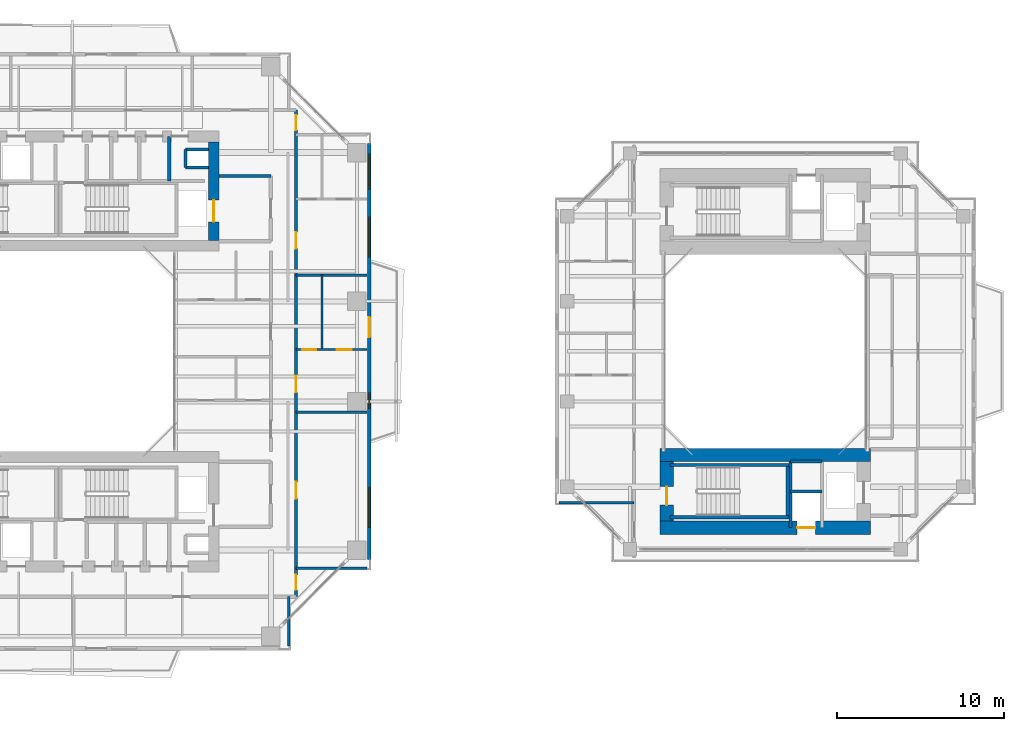
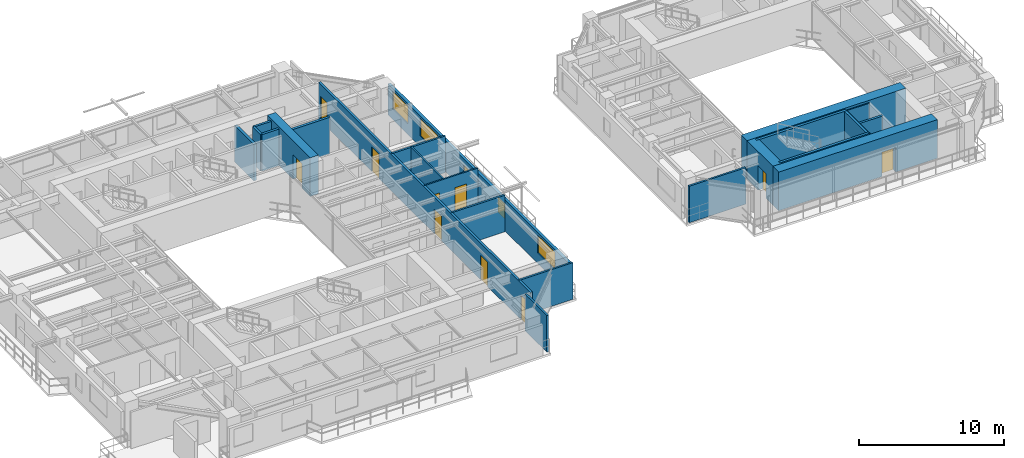
# One storey, part 15 of 23: 24 walls, 11 doors, 4 windows, 15 openings.
"""IFC4 building model written with IfcOpenShell, lengths in metres."""

from ifc_helpers import new_model, si_unit, direction, frame, frame_2d, origin, place, context, subcontext, project, spatial, rectangle, extrude, source, transform, mapped, material, layer, layer_set, type_object, element, fill, save


model = new_model("IFC4")

# Units and contexts
model_context = context("Model", 3, precision=1e-05, world=origin(), true_north=direction((0.0, 1.0)))
body_context = subcontext(model_context, "Body", "Model", "MODEL_VIEW")
ifc_project = project(units=[si_unit("LENGTHUNIT", "METRE"), si_unit("AREAUNIT", "SQUARE_METRE"), si_unit("VOLUMEUNIT", "CUBIC_METRE"), si_unit("PLANEANGLEUNIT", "RADIAN"), si_unit("MASSUNIT", "GRAM", prefix="KILO"), si_unit("THERMODYNAMICTEMPERATUREUNIT", "KELVIN"), si_unit("POWERUNIT", "WATT")], contexts=[model_context])

# Site, building, storey
site_placement = place(None, origin())
site = spatial("IfcSite", under=ifc_project, at=site_placement, CompositionType="ELEMENT")
building_placement = place(site_placement, origin())
building = spatial("IfcBuilding", under=site, at=building_placement, Name="Qiaomeng Ring Towers", CompositionType="ELEMENT")
storey_placement = place(building_placement, frame((0.0, 0.0, 103.5)))
storey = spatial("IfcBuildingStorey", under=building, at=storey_placement, Name="L29", CompositionType="ELEMENT", Elevation=103.5)

# Wall, openings, windows, door
ifc_material_1 = material(Name="Precast concrete C40", Category="concrete")
ifc_layer_1 = layer(ifc_material_1, 0.219970703125, Name="Precast concrete C40")
ifc_layer_set_1 = layer_set([ifc_layer_1], Name="Precast concrete C40")
wall_type_1 = type_object("IfcWallType", Name="ARC-WL-EW2", PredefinedType="STANDARD", material=ifc_layer_set_1)
wall_1_placement = place(storey_placement, frame((36.7900390625, 10.550048828125, 0.0), z_axis=(0.0, 0.0, 1.0), x_axis=(0.0, 1.0, 0.0)))
wall_1 = element("IfcWall", 1, at=wall_1_placement, inside=storey, type_object=wall_type_1, Name="L29 Tower 1 E Exterior Wall", PredefinedType="STANDARD", context=body_context, shape_type="SweptSolid", body=[
    extrude(rectangle(XDim=24.89990234375, YDim=0.219970703125, at=frame_2d((12.449951171875, 0.0))), origin(), (0.0, 0.0, 1.0), 2.610107421875),
])
opening_1_placement = place(wall_1_placement, frame((13.300048828125, 0.0, 0.0)))
opening_1 = element("IfcOpeningElement", 2, at=opening_1_placement, cuts=wall_1, Name="Opening BD1", PredefinedType="OPENING", context=body_context, shape_type="SweptSolid", body=[
    extrude(rectangle(XDim=1.199951171875, YDim=2.10009765625, at=frame_2d((0.60009765625, 1.050048828125))), frame((0.0, 0.119873046875, 0.0), z_axis=(0.0, -1.0, 0.0), x_axis=(1.0, 0.0, 0.0)), (0.0, 0.0, 1.0), 0.239990234375),
])
opening_2_placement = place(wall_1_placement, frame((1.912109375, 0.0, 0.89990234375)))
opening_2 = element("IfcOpeningElement", 3, at=opening_2_placement, cuts=wall_1, Name="Opening WN6", PredefinedType="OPENING", context=body_context, shape_type="SweptSolid", body=[
    extrude(rectangle(XDim=2.39990234375, YDim=1.47998046875, at=frame_2d((1.199951171875, 0.739990234375))), frame((0.0, 0.119873046875, 0.0), z_axis=(0.0, -1.0, 0.0), x_axis=(1.0, 0.0, 0.0)), (0.0, 0.0, 1.0), 0.239990234375),
])
opening_3_placement = place(wall_1_placement, frame((22.1650390625, 0.0, 0.89990234375)))
opening_3 = element("IfcOpeningElement", 4, at=opening_3_placement, cuts=wall_1, Name="Opening WN4", PredefinedType="OPENING", context=body_context, shape_type="SweptSolid", body=[
    extrude(rectangle(XDim=2.10009765625, YDim=1.5, at=frame_2d((1.050048828125, 0.75))), frame((0.0, 0.119873046875, 0.0), z_axis=(0.0, -1.0, 0.0), x_axis=(1.0, 0.0, 0.0)), (0.0, 0.0, 1.0), 0.239990234375),
])
opening_4_placement = place(wall_1_placement, frame((18.092529296875, 0.0, 0.89990234375)))
opening_4 = element("IfcOpeningElement", 5, at=opening_4_placement, cuts=wall_1, Name="Opening WN6", PredefinedType="OPENING", context=body_context, shape_type="SweptSolid", body=[
    extrude(rectangle(XDim=2.39990234375, YDim=1.5, at=frame_2d((1.199951171875, 0.75))), frame((0.0, 0.119873046875, 0.0), z_axis=(0.0, -1.0, 0.0), x_axis=(1.0, 0.0, 0.0)), (0.0, 0.0, 1.0), 0.239990234375),
])
opening_5_placement = place(wall_1_placement, frame((9.044921875, 0.0, 0.89990234375)))
opening_5 = element("IfcOpeningElement", 6, at=opening_5_placement, cuts=wall_1, Name="Opening WN5", PredefinedType="OPENING", context=body_context, shape_type="SweptSolid", body=[
    extrude(rectangle(XDim=0.89990234375, YDim=1.199951171875, at=frame_2d((0.449951171875, 0.60009765625))), frame((0.0, 0.119873046875, 0.0), z_axis=(0.0, -1.0, 0.0), x_axis=(1.0, 0.0, 0.0)), (0.0, 0.0, 1.0), 0.239990234375),
])
ifc_material_2 = material(Name="Low-E dark-grey laminated double glazing", Category="glass")
window_type_1 = type_object("IfcWindowType", Name="ARC-WN-4", PartitioningType="TRIPLE_PANEL_VERTICAL", PredefinedType="WINDOW", material=ifc_material_2)
shared_shape_1 = source(origin(), body_context, "Body", "SweptSolid", [
    extrude(rectangle(XDim=2.10009765625, YDim=1.5, at=frame_2d((1.050048828125, 0.75))), frame((0.0, 0.030029296875, 0.0), z_axis=(0.0, -1.0, 0.0), x_axis=(1.0, 0.0, 0.0)), (0.0, 0.0, 1.0), 0.06005859375),
])
window_1_placement = place(opening_3_placement, origin())
window_1 = element("IfcWindow", 7, at=window_1_placement, inside=storey, type_object=window_type_1, Name="L29 Exterior Window WN4", OverallHeight=1.5, OverallWidth=2.10009765625, PartitioningType="TRIPLE_PANEL_VERTICAL", PredefinedType="WINDOW", context=body_context, shape_type="MappedRepresentation", body=[
    mapped(shared_shape_1, transform((0.0, 0.0, 0.0), x_axis=(1.0, 0.0, 0.0), y_axis=(0.0, 1.0, 0.0), z_axis=(0.0, 0.0, 1.0), scale=1.0)),
])
fill(opening_3, window_1)
window_type_2 = type_object("IfcWindowType", Name="ARC-WN-6", PartitioningType="TRIPLE_PANEL_VERTICAL", PredefinedType="WINDOW", material=ifc_material_2)
shared_shape_2 = source(origin(), body_context, "Body", "SweptSolid", [
    extrude(rectangle(XDim=2.39990234375, YDim=1.47998046875, at=frame_2d((1.199951171875, 0.739990234375))), frame((0.0, 0.030029296875, 0.0), z_axis=(0.0, -1.0, 0.0), x_axis=(1.0, 0.0, 0.0)), (0.0, 0.0, 1.0), 0.06005859375),
])
window_2_placement = place(opening_2_placement, origin())
window_2 = element("IfcWindow", 8, at=window_2_placement, inside=storey, type_object=window_type_2, Name="L29 Exterior Window WN6", OverallHeight=1.47998046875, OverallWidth=2.39990234375, PartitioningType="TRIPLE_PANEL_VERTICAL", PredefinedType="WINDOW", context=body_context, shape_type="MappedRepresentation", body=[
    mapped(shared_shape_2, transform((0.0, 0.0, 0.0), x_axis=(1.0, 0.0, 0.0), y_axis=(0.0, 1.0, 0.0), z_axis=(0.0, 0.0, 1.0), scale=1.0)),
])
fill(opening_2, window_2)
door_type_1 = type_object("IfcDoorType", Name="ARC-DR-BD1", OperationType="NOTDEFINED", PredefinedType="DOOR", material=ifc_material_2)
shared_shape_3 = source(origin(), body_context, "Body", "SweptSolid", [
    extrude(rectangle(XDim=1.199951171875, YDim=2.10009765625, at=frame_2d((0.60009765625, 1.050048828125))), frame((0.0, 0.02490234375, 0.0), z_axis=(0.0, -1.0, 0.0), x_axis=(1.0, 0.0, 0.0)), (0.0, 0.0, 1.0), 0.050048828125),
])
door_1_placement = place(opening_1_placement, origin())
door_1 = element("IfcDoor", 9, at=door_1_placement, inside=storey, type_object=door_type_1, Name="L29 E Balcony Glazed Door", OperationType="SINGLE_SWING_LEFT", OverallHeight=2.10009765625, OverallWidth=1.199951171875, PredefinedType="DOOR", context=body_context, shape_type="MappedRepresentation", body=[
    mapped(shared_shape_3, transform((0.0, 0.0, 0.0), x_axis=(1.0, 0.0, 0.0), y_axis=(0.0, 1.0, 0.0), z_axis=(0.0, 0.0, 1.0), scale=1.0)),
])
fill(opening_1, door_1)
shared_shape_4 = source(origin(), body_context, "Body", "SweptSolid", [
    extrude(rectangle(XDim=2.39990234375, YDim=1.5, at=frame_2d((1.199951171875, 0.75))), frame((0.0, 0.030029296875, 0.0), z_axis=(0.0, -1.0, 0.0), x_axis=(1.0, 0.0, 0.0)), (0.0, 0.0, 1.0), 0.06005859375),
])
window_3_placement = place(opening_4_placement, origin())
window_3 = element("IfcWindow", 10, at=window_3_placement, inside=storey, type_object=window_type_2, Name="L29 Exterior Window WN6", OverallHeight=1.5, OverallWidth=2.39990234375, PartitioningType="TRIPLE_PANEL_VERTICAL", PredefinedType="WINDOW", context=body_context, shape_type="MappedRepresentation", body=[
    mapped(shared_shape_4, transform((0.0, 0.0, 0.0), x_axis=(1.0, 0.0, 0.0), y_axis=(0.0, 1.0, 0.0), z_axis=(0.0, 0.0, 1.0), scale=1.0)),
])
fill(opening_4, window_3)
window_type_3 = type_object("IfcWindowType", Name="ARC-WN-5", PartitioningType="SINGLE_PANEL", PredefinedType="WINDOW", material=ifc_material_2)
shared_shape_5 = source(origin(), body_context, "Body", "SweptSolid", [
    extrude(rectangle(XDim=0.89990234375, YDim=1.199951171875, at=frame_2d((0.449951171875, 0.60009765625))), frame((0.0, 0.030029296875, 0.0), z_axis=(0.0, -1.0, 0.0), x_axis=(1.0, 0.0, 0.0)), (0.0, 0.0, 1.0), 0.06005859375),
])
window_4_placement = place(opening_5_placement, origin())
window_4 = element("IfcWindow", 11, at=window_4_placement, inside=storey, type_object=window_type_3, Name="L29 Exterior Window WN5", OverallHeight=1.199951171875, OverallWidth=0.89990234375, PartitioningType="SINGLE_PANEL", PredefinedType="WINDOW", context=body_context, shape_type="MappedRepresentation", body=[
    mapped(shared_shape_5, transform((0.0, 0.0, 0.0), x_axis=(1.0, 0.0, 0.0), y_axis=(0.0, 1.0, 0.0), z_axis=(0.0, 0.0, 1.0), scale=1.0)),
])
fill(opening_5, window_4)

# Walls
ifc_material_3 = material(Name="Autoclaved aerated concrete block", Category="concrete")
ifc_layer_2 = layer(ifc_material_3, 0.199951171875, Name="Autoclaved aerated concrete block")
ifc_layer_set_2 = layer_set([ifc_layer_2], Name="Autoclaved aerated concrete block")
wall_type_2 = type_object("IfcWallType", Name="ARC-WL-PW1", PredefinedType="PARTITIONING", material=ifc_layer_set_2)
wall_2_placement = place(storey_placement, frame((27.800048828125, 33.5, 0.0), z_axis=(0.0, 0.0, 1.0), x_axis=(1.0, 0.0, 0.0)))
element("IfcWall", 12, at=wall_2_placement, inside=storey, type_object=wall_type_2, Name="L29 Interior Wall PW1", PredefinedType="PARTITIONING", context=body_context, shape_type="SweptSolid", body=[
    extrude(rectangle(XDim=3.099853515625, YDim=0.199951171875, at=frame_2d((1.5498046875, 0.0))), origin(), (0.0, 0.0, 1.0), 3.070068359375),
])
wall_3_placement = place(storey_placement, frame((24.820068359375, 33.199951171875, 0.0), z_axis=(0.0, 0.0, 1.0), x_axis=(0.0, 1.0, 0.0)))
element("IfcWall", 13, at=wall_3_placement, inside=storey, type_object=wall_type_2, Name="L29 Interior Wall PW1", PredefinedType="PARTITIONING", context=body_context, shape_type="SweptSolid", body=[
    extrude(rectangle(XDim=2.650146484375, YDim=0.199951171875, at=frame_2d((1.3251953125, 0.0))), origin(), (0.0, 0.0, 1.0), 3.070068359375),
])

# Wall, openings, doors
ifc_layer_3 = layer(ifc_material_3, 0.179931640625, Name="Autoclaved aerated concrete block")
ifc_layer_set_3 = layer_set([ifc_layer_3], Name="Autoclaved aerated concrete block")
wall_type_3 = type_object("IfcWallType", Name="ARC-WL-PW2", PredefinedType="PARTITIONING", material=ifc_layer_set_3)
wall_4_placement = place(storey_placement, frame((32.39990234375, 8.31005859375, 0.0), z_axis=(0.0, 0.0, 1.0), x_axis=(0.0, 1.0, 0.0)))
wall_4 = element("IfcWall", 14, at=wall_4_placement, inside=storey, type_object=wall_type_3, Name="L29 Interior Wall PW2", PredefinedType="PARTITIONING", context=body_context, shape_type="SweptSolid", body=[
    extrude(rectangle(XDim=29.1298828125, YDim=0.179931640625, at=frame_2d((14.56494140625, 0.0))), origin(), (0.0, 0.0, 1.0), 3.070068359375),
])
opening_6_placement = place(wall_4_placement, frame((27.93994140625, 0.0, 0.0)))
opening_6 = element("IfcOpeningElement", 15, at=opening_6_placement, cuts=wall_4, Name="Opening ID1", PredefinedType="OPENING", context=body_context, shape_type="SweptSolid", body=[
    extrude(rectangle(XDim=0.89990234375, YDim=2.050048828125, at=frame_2d((0.449951171875, 1.02490234375))), frame((0.0, 0.099853515625, 0.0), z_axis=(0.0, -1.0, 0.0), x_axis=(1.0, 0.0, 0.0)), (0.0, 0.0, 1.0), 0.199951171875),
])
opening_7_placement = place(wall_4_placement, frame((0.4150390625, 0.0, 0.0)))
opening_7 = element("IfcOpeningElement", 16, at=opening_7_placement, cuts=wall_4, Name="Opening ID1", PredefinedType="OPENING", context=body_context, shape_type="SweptSolid", body=[
    extrude(rectangle(XDim=0.89990234375, YDim=2.050048828125, at=frame_2d((0.449951171875, 1.02490234375))), frame((0.0, 0.099853515625, 0.0), z_axis=(0.0, -1.0, 0.0), x_axis=(1.0, 0.0, 0.0)), (0.0, 0.0, 1.0), 0.199951171875),
])
opening_8_placement = place(wall_4_placement, frame((5.8798828125, 0.0, 0.0)))
opening_8 = element("IfcOpeningElement", 17, at=opening_8_placement, cuts=wall_4, Name="Opening FD4", PredefinedType="OPENING", context=body_context, shape_type="SweptSolid", body=[
    extrude(rectangle(XDim=1.0, YDim=2.050048828125, at=frame_2d((0.5, 1.02490234375))), frame((0.0, 0.099853515625, 0.0), z_axis=(0.0, -1.0, 0.0), x_axis=(1.0, 0.0, 0.0)), (0.0, 0.0, 1.0), 0.199951171875),
])
opening_9_placement = place(wall_4_placement, frame((12.22998046875, 0.0, 0.0)))
opening_9 = element("IfcOpeningElement", 18, at=opening_9_placement, cuts=wall_4, Name="Opening FD4", PredefinedType="OPENING", context=body_context, shape_type="SweptSolid", body=[
    extrude(rectangle(XDim=1.0, YDim=2.050048828125, at=frame_2d((0.5, 1.02490234375))), frame((0.0, 0.099853515625, 0.0), z_axis=(0.0, -1.0, 0.0), x_axis=(1.0, 0.0, 0.0)), (0.0, 0.0, 1.0), 0.199951171875),
])
opening_10_placement = place(wall_4_placement, frame((20.8349609375, 0.0, 0.0)))
opening_10 = element("IfcOpeningElement", 19, at=opening_10_placement, cuts=wall_4, Name="Opening FD4", PredefinedType="OPENING", context=body_context, shape_type="SweptSolid", body=[
    extrude(rectangle(XDim=1.0, YDim=2.050048828125, at=frame_2d((0.5, 1.02490234375))), frame((0.0, 0.099853515625, 0.0), z_axis=(0.0, -1.0, 0.0), x_axis=(1.0, 0.0, 0.0)), (0.0, 0.0, 1.0), 0.199951171875),
])
ifc_material_4 = material(Name="Engineered fire-rated oak timber", Category="wood")
door_type_2 = type_object("IfcDoorType", Name="ARC-DR-FD4", OperationType="NOTDEFINED", PredefinedType="DOOR", material=ifc_material_4)
shared_shape_6 = source(origin(), body_context, "Body", "SweptSolid", [
    extrude(rectangle(XDim=1.0, YDim=2.050048828125, at=frame_2d((0.5, 1.02490234375))), frame((0.0, 0.02490234375, 0.0), z_axis=(0.0, -1.0, 0.0), x_axis=(1.0, 0.0, 0.0)), (0.0, 0.0, 1.0), 0.050048828125),
])
door_2_placement = place(opening_8_placement, origin())
door_2 = element("IfcDoor", 20, at=door_2_placement, inside=storey, type_object=door_type_2, Name="L29 Door FD4", OperationType="SINGLE_SWING_RIGHT", OverallHeight=2.050048828125, OverallWidth=1.0, PredefinedType="DOOR", context=body_context, shape_type="MappedRepresentation", body=[
    mapped(shared_shape_6, transform((0.0, 0.0, 0.0), x_axis=(1.0, 0.0, 0.0), y_axis=(0.0, 1.0, 0.0), z_axis=(0.0, 0.0, 1.0), scale=1.0)),
])
fill(opening_8, door_2)
door_3_placement = place(opening_9_placement, origin())
door_3 = element("IfcDoor", 21, at=door_3_placement, inside=storey, type_object=door_type_2, Name="L29 Door FD4", OperationType="SINGLE_SWING_LEFT", OverallHeight=2.050048828125, OverallWidth=1.0, PredefinedType="DOOR", context=body_context, shape_type="MappedRepresentation", body=[
    mapped(shared_shape_6, transform((0.0, 0.0, 0.0), x_axis=(1.0, 0.0, 0.0), y_axis=(0.0, 1.0, 0.0), z_axis=(0.0, 0.0, 1.0), scale=1.0)),
])
fill(opening_9, door_3)
door_4_placement = place(opening_10_placement, origin())
door_4 = element("IfcDoor", 22, at=door_4_placement, inside=storey, type_object=door_type_2, Name="L29 Door FD4", OperationType="SINGLE_SWING_RIGHT", OverallHeight=2.050048828125, OverallWidth=1.0, PredefinedType="DOOR", context=body_context, shape_type="MappedRepresentation", body=[
    mapped(shared_shape_6, transform((0.0, 0.0, 0.0), x_axis=(1.0, 0.0, 0.0), y_axis=(0.0, 1.0, 0.0), z_axis=(0.0, 0.0, 1.0), scale=1.0)),
])
fill(opening_10, door_4)
ifc_material_5 = material(Name="Engineered oak timber", Category="wood")
door_type_3 = type_object("IfcDoorType", Name="ARC-DR-ID1", OperationType="NOTDEFINED", PredefinedType="DOOR", material=ifc_material_5)
shared_shape_7 = source(origin(), body_context, "Body", "SweptSolid", [
    extrude(rectangle(XDim=0.89990234375, YDim=2.050048828125, at=frame_2d((0.449951171875, 1.02490234375))), frame((0.0, 0.02490234375, 0.0), z_axis=(0.0, -1.0, 0.0), x_axis=(1.0, 0.0, 0.0)), (0.0, 0.0, 1.0), 0.050048828125),
])
door_5_placement = place(opening_6_placement, origin())
door_5 = element("IfcDoor", 23, at=door_5_placement, inside=storey, type_object=door_type_3, Name="L29 Door ID1", OperationType="SINGLE_SWING_RIGHT", OverallHeight=2.050048828125, OverallWidth=0.89990234375, PredefinedType="DOOR", context=body_context, shape_type="MappedRepresentation", body=[
    mapped(shared_shape_7, transform((0.0, 0.0, 0.0), x_axis=(1.0, 0.0, 0.0), y_axis=(0.0, 1.0, 0.0), z_axis=(0.0, 0.0, 1.0), scale=1.0)),
])
fill(opening_6, door_5)
door_6_placement = place(opening_7_placement, origin())
door_6 = element("IfcDoor", 24, at=door_6_placement, inside=storey, type_object=door_type_3, Name="L29 Door ID1", OperationType="SINGLE_SWING_LEFT", OverallHeight=2.050048828125, OverallWidth=0.89990234375, PredefinedType="DOOR", context=body_context, shape_type="MappedRepresentation", body=[
    mapped(shared_shape_7, transform((0.0, 0.0, 0.0), x_axis=(1.0, 0.0, 0.0), y_axis=(0.0, 1.0, 0.0), z_axis=(0.0, 0.0, 1.0), scale=1.0)),
])
fill(opening_7, door_6)

# Walls
ifc_material_6 = material(Name="Gypsum fireboard steel-stud partition", Category="steel")
ifc_layer_4 = layer(ifc_material_6, 0.14990234375, Name="Gypsum fireboard steel-stud partition")
ifc_layer_set_4 = layer_set([ifc_layer_4], Name="Gypsum fireboard steel-stud partition")
wall_type_4 = type_object("IfcWallType", Name="ARC-WL-PW3", PredefinedType="PARTITIONING", material=ifc_layer_set_4)
wall_5_placement = place(storey_placement, frame((31.97998046875, 5.35009765625, 0.0), z_axis=(0.0, 0.0, 1.0), x_axis=(0.0, 1.0, 0.0)))
element("IfcWall", 25, at=wall_5_placement, inside=storey, type_object=wall_type_4, Name="L29 Interior Wall PW3", PredefinedType="PARTITIONING", context=body_context, shape_type="SweptSolid", body=[
    extrude(rectangle(XDim=2.9599609375, YDim=0.14990234375, at=frame_2d((1.47998046875, 0.0))), origin(), (0.0, 0.0, 1.0), 3.070068359375),
])
for number, where, z_axis, x_axis, name in (
    (26, (32.39990234375, 10.02001953125, 0.0), (0.0, 0.0, 1.0), (1.0, 0.0, 0.0), "L29 Interior Wall PW3"),
    (27, (32.39990234375, 19.360107421875, 0.0), (0.0, 0.0, 1.0), (1.0, 0.0, 0.0), "L29 Interior Wall PW3"),
    (28, (32.39990234375, 27.56005859375, 0.0), (0.0, 0.0, 1.0), (1.0, 0.0, 0.0), "L29 Interior Wall PW3"),
):
    element("IfcWall", number, at=place(storey_placement, frame(where, z_axis=z_axis, x_axis=x_axis)), inside=storey, type_object=wall_type_4, Name=name, PredefinedType="PARTITIONING", context=body_context, shape_type="SweptSolid", body=[
        extrude(rectangle(XDim=4.25, YDim=0.14990234375, at=frame_2d((2.125, 0.0))), origin(), (0.0, 0.0, 1.0), 3.070068359375),
    ])
wall_6_placement = place(storey_placement, frame((48.14990234375, 13.949951171875, 0.0), z_axis=(0.0, 0.0, 1.0), x_axis=(1.0, 0.0, 0.0)))
element("IfcWall", 29, at=wall_6_placement, inside=storey, type_object=wall_type_4, Name="L29 Interior Wall PW3", PredefinedType="PARTITIONING", context=body_context, shape_type="SweptSolid", body=[
    extrude(rectangle(XDim=4.5, YDim=0.14990234375, at=frame_2d((2.25, 0.0))), origin(), (0.0, 0.0, 1.0), 3.070068359375),
])

# Wall, openings, doors
ifc_material_7 = material(Name="Moisture-resistant gypsum steel-stud partition", Category="steel")
ifc_layer_5 = layer(ifc_material_7, 0.1201171875, Name="Moisture-resistant gypsum steel-stud partition")
ifc_layer_set_5 = layer_set([ifc_layer_5], Name="Moisture-resistant gypsum steel-stud partition")
wall_type_5 = type_object("IfcWallType", Name="ARC-WL-PW4", PredefinedType="PLUMBINGWALL", material=ifc_layer_set_5)
wall_7_placement = place(storey_placement, frame((32.39990234375, 23.10009765625, 0.0), z_axis=(0.0, 0.0, 1.0), x_axis=(1.0, 0.0, 0.0)))
wall_7 = element("IfcWall", 30, at=wall_7_placement, inside=storey, type_object=wall_type_5, Name="L29 Interior Wall PW4", PredefinedType="PLUMBINGWALL", context=body_context, shape_type="SweptSolid", body=[
    extrude(rectangle(XDim=4.25, YDim=0.1201171875, at=frame_2d((2.125, 0.0))), origin(), (0.0, 0.0, 1.0), 3.070068359375),
])
opening_11_placement = place(wall_7_placement, frame((0.3701171875, 0.0, 0.0)))
opening_11 = element("IfcOpeningElement", 31, at=opening_11_placement, cuts=wall_7, Name="Opening ID2", PredefinedType="OPENING", context=body_context, shape_type="SweptSolid", body=[
    extrude(rectangle(XDim=0.85009765625, YDim=2.050048828125, at=frame_2d((0.425048828125, 1.02490234375))), frame((0.0, 0.070068359375, 0.0), z_axis=(0.0, -1.0, 0.0), x_axis=(1.0, 0.0, 0.0)), (0.0, 0.0, 1.0), 0.14013671875),
])
opening_12_placement = place(wall_7_placement, frame((2.449951171875, 0.0, 0.0)))
opening_12 = element("IfcOpeningElement", 32, at=opening_12_placement, cuts=wall_7, Name="Opening ID1", PredefinedType="OPENING", context=body_context, shape_type="SweptSolid", body=[
    extrude(rectangle(XDim=0.89990234375, YDim=2.050048828125, at=frame_2d((0.449951171875, 1.02490234375))), frame((0.0, 0.070068359375, 0.0), z_axis=(0.0, -1.0, 0.0), x_axis=(1.0, 0.0, 0.0)), (0.0, 0.0, 1.0), 0.14013671875),
])
ifc_material_8 = material(Name="Moisture-resistant engineered timber", Category="wood")
door_type_4 = type_object("IfcDoorType", Name="ARC-DR-ID2", OperationType="NOTDEFINED", PredefinedType="DOOR", material=ifc_material_8)
shared_shape_8 = source(origin(), body_context, "Body", "SweptSolid", [
    extrude(rectangle(XDim=0.85009765625, YDim=2.050048828125, at=frame_2d((0.425048828125, 1.02490234375))), frame((0.0, 0.02490234375, 0.0), z_axis=(0.0, -1.0, 0.0), x_axis=(1.0, 0.0, 0.0)), (0.0, 0.0, 1.0), 0.050048828125),
])
door_7_placement = place(opening_11_placement, origin())
door_7 = element("IfcDoor", 33, at=door_7_placement, inside=storey, type_object=door_type_4, Name="L29 Door ID2", OperationType="SINGLE_SWING_LEFT", OverallHeight=2.050048828125, OverallWidth=0.85009765625, PredefinedType="DOOR", context=body_context, shape_type="MappedRepresentation", body=[
    mapped(shared_shape_8, transform((0.0, 0.0, 0.0), x_axis=(1.0, 0.0, 0.0), y_axis=(0.0, 1.0, 0.0), z_axis=(0.0, 0.0, 1.0), scale=1.0)),
])
fill(opening_11, door_7)
door_8_placement = place(opening_12_placement, origin())
door_8 = element("IfcDoor", 34, at=door_8_placement, inside=storey, type_object=door_type_3, Name="L29 Door ID1", OperationType="SINGLE_SWING_RIGHT", OverallHeight=2.050048828125, OverallWidth=0.89990234375, PredefinedType="DOOR", context=body_context, shape_type="MappedRepresentation", body=[
    mapped(shared_shape_7, transform((0.0, 0.0, 0.0), x_axis=(1.0, 0.0, 0.0), y_axis=(0.0, 1.0, 0.0), z_axis=(0.0, 0.0, 1.0), scale=1.0)),
])
fill(opening_12, door_8)

# Walls
wall_8_placement = place(storey_placement, frame((33.969970703125, 23.10009765625, 0.0), z_axis=(0.0, 0.0, 1.0), x_axis=(0.0, 1.0, 0.0)))
element("IfcWall", 35, at=wall_8_placement, inside=storey, type_object=wall_type_5, Name="L29 Interior Wall PW4", PredefinedType="PLUMBINGWALL", context=body_context, shape_type="SweptSolid", body=[
    extrude(rectangle(XDim=4.4599609375, YDim=0.1201171875, at=frame_2d((2.22998046875, 0.0))), origin(), (0.0, 0.0, 1.0), 3.070068359375),
])
ifc_material_9 = material(Name="Concrete C40", Category="concrete")
ifc_layer_6 = layer(ifc_material_9, 0.199951171875, Name="Concrete C40")
ifc_layer_set_6 = layer_set([ifc_layer_6], Name="Concrete C40")
wall_type_6 = type_object("IfcWallType", Name="STR-WL-STSHAFT", PredefinedType="SHEAR", material=ifc_layer_set_6)
wall_9_placement = place(storey_placement, frame((25.800048828125, 34.02001953125, 0.0), z_axis=(0.0, 0.0, 1.0), x_axis=(0.0, 1.0, 0.0)))
element("IfcWall", 36, at=wall_9_placement, inside=storey, type_object=wall_type_6, Name="L29 Riser RSR1 West Shaft Wall N", PredefinedType="SHEAR", context=body_context, shape_type="SweptSolid", body=[
    extrude(rectangle(XDim=1.06005859375, YDim=0.179931640625, at=frame_2d((0.530029296875, 0.0))), origin(), (0.0, 0.0, 1.0), 3.070068359375),
])
for number, where, z_axis, x_axis, name in (
    (37, (25.800048828125, 35.080078125, 0.0), (0.0, 0.0, 1.0), (1.0, 0.0, 0.0), "L29 Riser RSR1 North Shaft Wall N"),
    (38, (25.800048828125, 34.02001953125, 0.0), (0.0, 0.0, 1.0), (1.0, 0.0, 0.0), "L29 Riser RSR1 South Shaft Wall N"),
):
    element("IfcWall", number, at=place(storey_placement, frame(where, z_axis=z_axis, x_axis=x_axis)), inside=storey, type_object=wall_type_6, Name=name, PredefinedType="SHEAR", context=body_context, shape_type="SweptSolid", body=[
        extrude(rectangle(XDim=1.349853515625, YDim=0.179931640625, at=frame_2d((0.6748046875, 0.0))), origin(), (0.0, 0.0, 1.0), 3.070068359375),
    ])
wall_10_placement = place(storey_placement, frame((62.02001953125, 12.449951171875, 0.0), z_axis=(0.0, 0.0, 1.0), x_axis=(0.0, 1.0, 0.0)))
element("IfcWall", 39, at=wall_10_placement, inside=storey, type_object=wall_type_6, Name="L29 Companion Lift Shaft West Wall S", PredefinedType="SHEAR", context=body_context, shape_type="SweptSolid", body=[
    extrude(rectangle(XDim=3.949951171875, YDim=0.179931640625, at=frame_2d((1.97509765625, 0.0))), origin(), (0.0, 0.0, 1.0), 3.070068359375),
])
for number, where, z_axis, x_axis, name in (
    (40, (62.02001953125, 14.6201171875, 0.0), (0.0, 0.0, 1.0), (1.0, 0.0, 0.0), "L29 Companion Lift Shaft Divider Wall S"),
    (41, (62.02001953125, 16.39990234375, 0.0), (0.0, 0.0, 1.0), (1.0, 0.0, 0.0), "L29 Companion Riser Shaft Back Wall S"),
):
    element("IfcWall", number, at=place(storey_placement, frame(where, z_axis=z_axis, x_axis=x_axis)), inside=storey, type_object=wall_type_6, Name=name, PredefinedType="SHEAR", context=body_context, shape_type="SweptSolid", body=[
        extrude(rectangle(XDim=1.85986328125, YDim=0.179931640625, at=frame_2d((0.929931640625, 0.0))), origin(), (0.0, 0.0, 1.0), 3.070068359375),
    ])
for number, where, z_axis, x_axis, name in (
    (42, (54.800048828125, 13.06005859375, 0.0), (0.0, 0.0, 1.0), (1.0, 0.0, 0.0), "L29 Stair ST6 South Shaft Shear Wall"),
    (43, (54.800048828125, 16.199951171875, 0.0), (0.0, 0.0, 1.0), (1.0, 0.0, 0.0), "L29 Stair ST6 North Shaft Shear Wall"),
):
    element("IfcWall", number, at=place(storey_placement, frame(where, z_axis=z_axis, x_axis=x_axis)), inside=storey, type_object=wall_type_6, Name=name, PredefinedType="SHEAR", context=body_context, shape_type="SweptSolid", body=[
        extrude(rectangle(XDim=7.14990234375, YDim=0.199951171875, at=frame_2d((3.574951171875, 0.0))), origin(), (0.0, 0.0, 1.0), 3.25),
    ])
wall_11_placement = place(storey_placement, frame((61.85009765625, 13.159912109375, 0.0), z_axis=(0.0, 0.0, 1.0), x_axis=(0.0, 1.0, 0.0)))
element("IfcWall", 44, at=wall_11_placement, inside=storey, type_object=wall_type_6, Name="L29 Stair ST6 East Shaft Shear Wall", PredefinedType="SHEAR", context=body_context, shape_type="SweptSolid", body=[
    extrude(rectangle(XDim=2.940185546875, YDim=0.199951171875, at=frame_2d((1.47021484375, 0.0))), origin(), (0.0, 0.0, 1.0), 3.25),
])

# Wall, opening, door
ifc_material_10 = material(Name="Concrete C60", Category="concrete")
ifc_layer_7 = layer(ifc_material_10, 0.800048828125, Name="Concrete C60")
ifc_layer_set_7 = layer_set([ifc_layer_7], Name="Concrete C60")
wall_type_7 = type_object("IfcWallType", Name="STR-WL-SW1", PredefinedType="SHEAR", material=ifc_layer_set_7)
wall_12_placement = place(storey_placement, frame((54.199951171875, 12.449951171875, 0.0), z_axis=(0.0, 0.0, 1.0), x_axis=(1.0, 0.0, 0.0)))
wall_12 = element("IfcWall", 45, at=wall_12_placement, inside=storey, type_object=wall_type_7, Name="L29 T2SC south core shear wall", PredefinedType="SHEAR", context=body_context, shape_type="SweptSolid", body=[
    extrude(rectangle(XDim=12.60009765625, YDim=0.800048828125, at=frame_2d((6.300048828125, 0.0))), origin(), (0.0, 0.0, 1.0), 3.25),
])
opening_13_placement = place(wall_12_placement, frame((8.199951171875, 0.0, 0.0)))
opening_13 = element("IfcOpeningElement", 46, at=opening_13_placement, cuts=wall_12, Name="Opening LD1", PredefinedType="OPENING", context=body_context, shape_type="SweptSolid", body=[
    extrude(rectangle(XDim=1.10009765625, YDim=2.050048828125, at=frame_2d((0.550048828125, 1.02490234375))), frame((0.0, 0.409912109375, 0.0), z_axis=(0.0, -1.0, 0.0), x_axis=(1.0, 0.0, 0.0)), (0.0, 0.0, 1.0), 0.820068359375),
])
ifc_material_11 = material(Name="Stainless steel 316", Category="steel")
door_type_5 = type_object("IfcDoorType", Name="ARC-DR-LD1", OperationType="NOTDEFINED", PredefinedType="DOOR", material=ifc_material_11)
shared_shape_9 = source(origin(), body_context, "Body", "SweptSolid", [
    extrude(rectangle(XDim=1.10009765625, YDim=2.050048828125, at=frame_2d((0.550048828125, 1.02490234375))), frame((0.0, 0.02490234375, 0.0), z_axis=(0.0, -1.0, 0.0), x_axis=(1.0, 0.0, 0.0)), (0.0, 0.0, 1.0), 0.050048828125),
])
door_9_placement = place(opening_13_placement, origin())
door_9 = element("IfcDoor", 47, at=door_9_placement, inside=storey, type_object=door_type_5, Name="L29 Companion Lift LP8 Landing Door", OperationType="SLIDING_TO_RIGHT", OverallHeight=2.050048828125, OverallWidth=1.10009765625, PredefinedType="DOOR", context=body_context, shape_type="MappedRepresentation", body=[
    mapped(shared_shape_9, transform((0.0, 0.0, 0.0), x_axis=(1.0, 0.0, 0.0), y_axis=(0.0, 1.0, 0.0), z_axis=(0.0, 0.0, 1.0), scale=1.0)),
])
fill(opening_13, door_9)

# Wall
wall_13_placement = place(storey_placement, frame((54.199951171875, 16.800048828125, 0.0), z_axis=(0.0, 0.0, 1.0), x_axis=(1.0, 0.0, 0.0)))
element("IfcWall", 48, at=wall_13_placement, inside=storey, type_object=wall_type_7, Name="L29 T2SC north core shear wall", PredefinedType="SHEAR", context=body_context, shape_type="SweptSolid", body=[
    extrude(rectangle(XDim=12.60009765625, YDim=0.800048828125, at=frame_2d((6.300048828125, 0.0))), origin(), (0.0, 0.0, 1.0), 3.25),
])

# Wall, opening, door
wall_14_placement = place(storey_placement, frame((54.60009765625, 12.85009765625, 0.0), z_axis=(0.0, 0.0, 1.0), x_axis=(0.0, 1.0, 0.0)))
wall_14 = element("IfcWall", 49, at=wall_14_placement, inside=storey, type_object=wall_type_7, Name="L29 T2SC west core shear wall", PredefinedType="SHEAR", context=body_context, shape_type="SweptSolid", body=[
    extrude(rectangle(XDim=3.5498046875, YDim=0.800048828125, at=frame_2d((1.77490234375, 0.0))), origin(), (0.0, 0.0, 1.0), 3.25),
])
opening_14_placement = place(wall_14_placement, frame((0.949951171875, 0.0, 0.0)))
opening_14 = element("IfcOpeningElement", 50, at=opening_14_placement, cuts=wall_14, Name="Opening FD3", PredefinedType="OPENING", context=body_context, shape_type="SweptSolid", body=[
    extrude(rectangle(XDim=1.10009765625, YDim=2.050048828125, at=frame_2d((0.550048828125, 1.02490234375))), frame((0.0, 0.409912109375, 0.0), z_axis=(0.0, -1.0, 0.0), x_axis=(1.0, 0.0, 0.0)), (0.0, 0.0, 1.0), 0.820068359375),
])
ifc_material_12 = material(Name="Galvanised steel", Category="steel")
door_type_6 = type_object("IfcDoorType", Name="ARC-DR-FD3", OperationType="NOTDEFINED", PredefinedType="DOOR", material=ifc_material_12)
door_10_placement = place(opening_14_placement, origin())
door_10 = element("IfcDoor", 51, at=door_10_placement, inside=storey, type_object=door_type_6, Name="L29 Stair ST6 Exit Door", OperationType="SINGLE_SWING_RIGHT", OverallHeight=2.050048828125, OverallWidth=1.10009765625, PredefinedType="DOOR", context=body_context, shape_type="MappedRepresentation", body=[
    mapped(shared_shape_9, transform((0.0, 0.0, 0.0), x_axis=(1.0, 0.0, 0.0), y_axis=(0.0, 1.0, 0.0), z_axis=(0.0, 0.0, 1.0), scale=1.0)),
])
fill(opening_14, door_10)

ifc_material_13 = material(Name="Concrete C55", Category="concrete")
ifc_layer_8 = layer(ifc_material_13, 0.64990234375, Name="Concrete C55")
ifc_layer_set_8 = layer_set([ifc_layer_8], Name="Concrete C55")
wall_type_8 = type_object("IfcWallType", Name="STR-WL-SW2A", PredefinedType="SHEAR", material=ifc_layer_set_8)
wall_15_placement = place(storey_placement, frame((27.47509765625, 29.64990234375, 0.0), z_axis=(0.0, 0.0, 1.0), x_axis=(0.0, 1.0, 0.0)))
wall_15 = element("IfcWall", 52, at=wall_15_placement, inside=storey, type_object=wall_type_8, Name="L29 T1NC east core shear wall", PredefinedType="SHEAR", context=body_context, shape_type="SweptSolid", body=[
    extrude(rectangle(XDim=5.900146484375, YDim=0.64990234375, at=frame_2d((2.9501953125, 0.0))), origin(), (0.0, 0.0, 1.0), 3.25),
])
opening_15_placement = place(wall_15_placement, frame((1.10009765625, 0.0, 0.0)))
opening_15 = element("IfcOpeningElement", 53, at=opening_15_placement, cuts=wall_15, Name="Opening LD2", PredefinedType="OPENING", context=body_context, shape_type="SweptSolid", body=[
    extrude(rectangle(XDim=1.300048828125, YDim=2.050048828125, at=frame_2d((0.64990234375, 1.02490234375))), frame((0.0, 0.3349609375, 0.0), z_axis=(0.0, -1.0, 0.0), x_axis=(1.0, 0.0, 0.0)), (0.0, 0.0, 1.0), 0.669921875),
])
door_type_7 = type_object("IfcDoorType", Name="ARC-DR-LD2", OperationType="NOTDEFINED", PredefinedType="DOOR", material=ifc_material_11)
shared_shape_10 = source(origin(), body_context, "Body", "SweptSolid", [
    extrude(rectangle(XDim=1.300048828125, YDim=2.050048828125, at=frame_2d((0.64990234375, 1.02490234375))), frame((0.0, 0.02490234375, 0.0), z_axis=(0.0, -1.0, 0.0), x_axis=(1.0, 0.0, 0.0)), (0.0, 0.0, 1.0), 0.050048828125),
])
door_11_placement = place(opening_15_placement, origin())
door_11 = element("IfcDoor", 54, at=door_11_placement, inside=storey, type_object=door_type_7, Name="L29 Firefighting Lift FL1 Landing Door", OperationType="SLIDING_TO_LEFT", OverallHeight=2.050048828125, OverallWidth=1.300048828125, PredefinedType="DOOR", context=body_context, shape_type="MappedRepresentation", body=[
    mapped(shared_shape_10, transform((0.0, 0.0, 0.0), x_axis=(1.0, 0.0, 0.0), y_axis=(0.0, 1.0, 0.0), z_axis=(0.0, 0.0, 1.0), scale=1.0)),
])
fill(opening_15, door_11)

save(model, "model.ifc")
